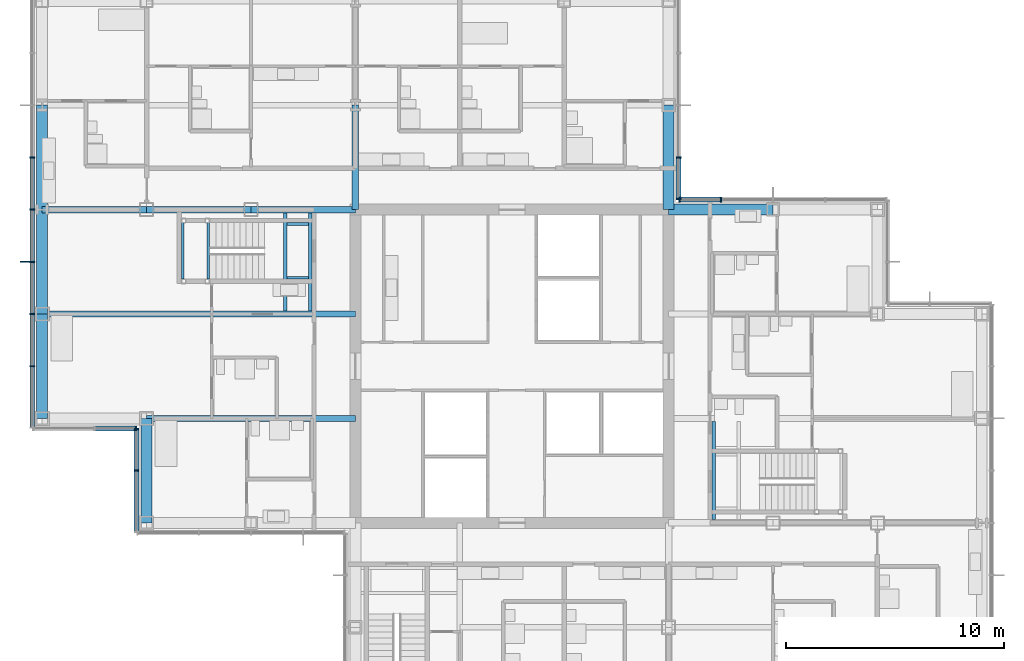
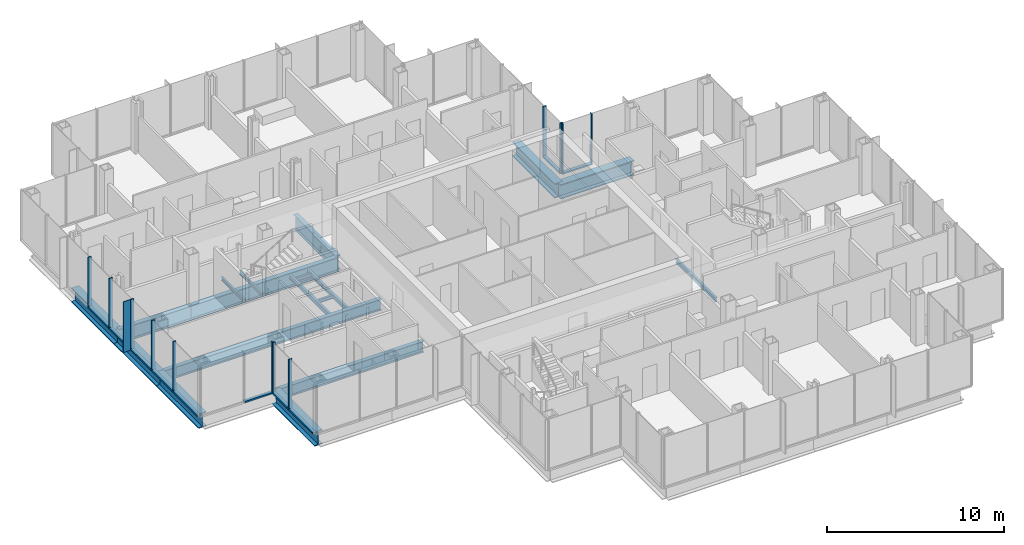
# One storey, part 7 of 20: 23 members, 19 beams, 5 elements without a shape of their own.
"""IFC4 building model written with IfcOpenShell, lengths in metres."""

from ifc_helpers import new_model, si_unit, direction, frame, origin, origin_2d, place, context, subcontext, project, spatial, rectangle, i_section, extrude, material, material_profile, profile_set, type_object, element, aggregate, save


model = new_model("IFC4")

# Units and contexts
model_context = context("Model", 3, precision=1e-05, world=origin(), true_north=direction((0.0, 1.0)))
body_context = subcontext(model_context, "Body", "Model", "MODEL_VIEW")
ifc_project = project(units=[si_unit("LENGTHUNIT", "METRE"), si_unit("AREAUNIT", "SQUARE_METRE"), si_unit("VOLUMEUNIT", "CUBIC_METRE"), si_unit("PLANEANGLEUNIT", "RADIAN"), si_unit("MASSUNIT", "GRAM", prefix="KILO")], contexts=[model_context])

# Site, building, storey
site_placement = place(None, origin())
site = spatial("IfcSite", under=ifc_project, at=site_placement, CompositionType="ELEMENT")
building_placement = place(site_placement, origin())
building = spatial("IfcBuilding", under=site, at=building_placement, Name="Kvirike Care Tower", CompositionType="ELEMENT")
storey_placement = place(building_placement, frame((0.0, 0.0, 94.5)))
storey = spatial("IfcBuildingStorey", under=building, at=storey_placement, Name="L25", CompositionType="ELEMENT", Elevation=94.5)

# Curtain wall, member
ifc_material_1 = material(Name="Anodised aluminium stick system", Category="aluminium")
curtain_wall_type = type_object("IfcCurtainWallType", Name="CW-B STICK CURTAIN WALL", PredefinedType="NOTDEFINED", material=ifc_material_1)
curtain_wall_1_placement = place(storey_placement, origin())
curtain_wall_1 = element("IfcCurtainWall", 1, at=curtain_wall_1_placement, inside=storey, type_object=curtain_wall_type, Name="Curtain wall L25 face 11", PredefinedType="NOTDEFINED")
ifc_material_2 = material(Name="Bronze anodised aluminium fin", Category="aluminium")
ifc_material_profile_1 = material_profile(ifc_material_2, rectangle(XDim=0.050048828125, YDim=0.449951171875, at=origin_2d()), Name="BRONZE FIN 450")
ifc_profile_set_1 = profile_set([ifc_material_profile_1], Name="Bronze anodised aluminium fin")
member_type_1 = type_object("IfcMemberType", Name="BRONZE FIN 450", PredefinedType="USERDEFINED", material=ifc_profile_set_1)
member_1_placement = place(storey_placement, frame((-0.794921875, 40.800048828125, 0.0), z_axis=(0.0, 0.0, 1.0), x_axis=(0.0, -1.0, 0.0)))
member_1 = element("IfcMember", 2, at=member_1_placement, type_object=member_type_1, Name="Bronze fin L25 face 11.6", ObjectType="FIN", PredefinedType="USERDEFINED", context=body_context, shape_type="SweptSolid", body=[
    extrude(rectangle(XDim=0.050048828125, YDim=0.449951171875, at=origin_2d()), origin(), (0.0, 0.0, 1.0), 3.5),
])

# Curtain wall, members
curtain_wall_2_placement = place(storey_placement, origin())
curtain_wall_2 = element("IfcCurtainWall", 3, at=curtain_wall_2_placement, inside=storey, type_object=curtain_wall_type, Name="Curtain wall L25 face 4", PredefinedType="NOTDEFINED")
ifc_material_3 = material(Name="Bronze anodised aluminium mullion", Category="aluminium")
ifc_material_profile_2 = material_profile(ifc_material_3, rectangle(XDim=0.06494140625, YDim=0.219970703125, at=origin_2d()), Name="CW-B MULLION 65x220")
ifc_profile_set_2 = profile_set([ifc_material_profile_2], Name="Bronze anodised aluminium mullion")
member_type_2 = type_object("IfcMemberType", Name="CW-B MULLION 65x220", PredefinedType="MULLION", material=ifc_profile_set_2)
member_2_placement = place(storey_placement, frame((31.199951171875, 43.659912109375, 0.0), z_axis=(0.0, 0.0, 1.0), x_axis=(-1.0, 0.0, 0.0)))
member_2 = element("IfcMember", 4, at=member_2_placement, type_object=member_type_2, Name="CW-B mullion L25 face 4.4", PredefinedType="MULLION", context=body_context, shape_type="SweptSolid", body=[
    extrude(rectangle(XDim=0.06494140625, YDim=0.219970703125, at=origin_2d()), origin(), (0.0, 0.0, 1.0), 3.5),
])
member_3_placement = place(storey_placement, frame((29.29248046875, 43.659912109375, 0.0), z_axis=(0.0, 0.0, 1.0), x_axis=(-1.0, 0.0, 0.0)))
member_3 = element("IfcMember", 5, at=member_3_placement, type_object=member_type_2, Name="CW-B mullion L25 face 4.5", PredefinedType="MULLION", context=body_context, shape_type="SweptSolid", body=[
    extrude(rectangle(XDim=0.06494140625, YDim=0.219970703125, at=origin_2d()), origin(), (0.0, 0.0, 1.0), 3.5),
])

curtain_wall_3_placement = place(storey_placement, origin())
curtain_wall_3 = element("IfcCurtainWall", 6, at=curtain_wall_3_placement, inside=storey, type_object=curtain_wall_type, Name="Curtain wall L25 face 5", PredefinedType="NOTDEFINED")
member_4_placement = place(storey_placement, frame((29.260009765625, 43.6923828125, 0.0), z_axis=(0.0, 0.0, 1.0), x_axis=(0.0, 1.0, 0.0)))
member_4 = element("IfcMember", 7, at=member_4_placement, type_object=member_type_2, Name="CW-B mullion L25 face 5.1", PredefinedType="MULLION", context=body_context, shape_type="SweptSolid", body=[
    extrude(rectangle(XDim=0.06494140625, YDim=0.219970703125, at=origin_2d()), origin(), (0.0, 0.0, 1.0), 3.5),
])
member_5_placement = place(storey_placement, frame((29.260009765625, 45.60009765625, 0.0), z_axis=(0.0, 0.0, 1.0), x_axis=(0.0, 1.0, 0.0)))
member_5 = element("IfcMember", 8, at=member_5_placement, type_object=member_type_2, Name="CW-B mullion L25 face 5.2", PredefinedType="MULLION", context=body_context, shape_type="SweptSolid", body=[
    extrude(rectangle(XDim=0.06494140625, YDim=0.219970703125, at=origin_2d()), origin(), (0.0, 0.0, 1.0), 3.5),
])

# Member
member_6_placement = place(storey_placement, frame((-0.4599609375, 45.60009765625, 0.0), z_axis=(0.0, 0.0, 1.0), x_axis=(0.0, -1.0, 0.0)))
member_6 = element("IfcMember", 9, at=member_6_placement, type_object=member_type_2, Name="CW-B mullion L25 face 11.4", PredefinedType="MULLION", context=body_context, shape_type="SweptSolid", body=[
    extrude(rectangle(XDim=0.06494140625, YDim=0.219970703125, at=origin_2d()), origin(), (0.0, 0.0, 1.0), 3.5),
])

member_7_placement = place(storey_placement, frame((-0.4599609375, 43.199951171875, 0.0), z_axis=(0.0, 0.0, 1.0), x_axis=(0.0, -1.0, 0.0)))
member_7 = element("IfcMember", 10, at=member_7_placement, type_object=member_type_2, Name="CW-B mullion L25 face 11.5", PredefinedType="MULLION", context=body_context, shape_type="SweptSolid", body=[
    extrude(rectangle(XDim=0.06494140625, YDim=0.219970703125, at=origin_2d()), origin(), (0.0, 0.0, 1.0), 3.5),
])

member_8_placement = place(storey_placement, frame((-0.4599609375, 40.800048828125, 0.0), z_axis=(0.0, 0.0, 1.0), x_axis=(0.0, -1.0, 0.0)))
member_8 = element("IfcMember", 11, at=member_8_placement, type_object=member_type_2, Name="CW-B mullion L25 face 11.6", PredefinedType="MULLION", context=body_context, shape_type="SweptSolid", body=[
    extrude(rectangle(XDim=0.06494140625, YDim=0.219970703125, at=origin_2d()), origin(), (0.0, 0.0, 1.0), 3.5),
])

member_9_placement = place(storey_placement, frame((-0.4599609375, 38.39990234375, 0.0), z_axis=(0.0, 0.0, 1.0), x_axis=(0.0, -1.0, 0.0)))
member_9 = element("IfcMember", 12, at=member_9_placement, type_object=member_type_2, Name="CW-B mullion L25 face 11.7", PredefinedType="MULLION", context=body_context, shape_type="SweptSolid", body=[
    extrude(rectangle(XDim=0.06494140625, YDim=0.219970703125, at=origin_2d()), origin(), (0.0, 0.0, 1.0), 3.5),
])

member_10_placement = place(storey_placement, frame((-0.4599609375, 36.0, 0.0), z_axis=(0.0, 0.0, 1.0), x_axis=(0.0, -1.0, 0.0)))
member_10 = element("IfcMember", 13, at=member_10_placement, type_object=member_type_2, Name="CW-B mullion L25 face 11.8", PredefinedType="MULLION", context=body_context, shape_type="SweptSolid", body=[
    extrude(rectangle(XDim=0.06494140625, YDim=0.219970703125, at=origin_2d()), origin(), (0.0, 0.0, 1.0), 3.5),
])

# Curtain wall, member
curtain_wall_4_placement = place(storey_placement, origin())
curtain_wall_4 = element("IfcCurtainWall", 14, at=curtain_wall_4_placement, inside=storey, type_object=curtain_wall_type, Name="Curtain wall L25 face 12", PredefinedType="NOTDEFINED")
member_11_placement = place(storey_placement, frame((4.3076171875, 33.139892578125, 0.0), z_axis=(0.0, 0.0, 1.0), x_axis=(1.0, 0.0, 0.0)))
member_11 = element("IfcMember", 15, at=member_11_placement, type_object=member_type_2, Name="CW-B mullion L25 face 12.3", PredefinedType="MULLION", context=body_context, shape_type="SweptSolid", body=[
    extrude(rectangle(XDim=0.06494140625, YDim=0.219970703125, at=origin_2d()), origin(), (0.0, 0.0, 1.0), 3.5),
])

# Curtain wall, members
curtain_wall_5_placement = place(storey_placement, origin())
curtain_wall_5 = element("IfcCurtainWall", 16, at=curtain_wall_5_placement, inside=storey, type_object=curtain_wall_type, Name="Curtain wall L25 face 13", PredefinedType="NOTDEFINED")
member_12_placement = place(storey_placement, frame((4.340087890625, 33.107421875, 0.0), z_axis=(0.0, 0.0, 1.0), x_axis=(0.0, -1.0, 0.0)))
member_12 = element("IfcMember", 17, at=member_12_placement, type_object=member_type_2, Name="CW-B mullion L25 face 13.1", PredefinedType="MULLION", context=body_context, shape_type="SweptSolid", body=[
    extrude(rectangle(XDim=0.06494140625, YDim=0.219970703125, at=origin_2d()), origin(), (0.0, 0.0, 1.0), 3.5),
])
member_13_placement = place(storey_placement, frame((4.340087890625, 31.199951171875, 0.0), z_axis=(0.0, 0.0, 1.0), x_axis=(0.0, -1.0, 0.0)))
member_13 = element("IfcMember", 18, at=member_13_placement, type_object=member_type_2, Name="CW-B mullion L25 face 13.2", PredefinedType="MULLION", context=body_context, shape_type="SweptSolid", body=[
    extrude(rectangle(XDim=0.06494140625, YDim=0.219970703125, at=origin_2d()), origin(), (0.0, 0.0, 1.0), 3.5),
])

# Member
ifc_material_4 = material(Name="Bronze anodised aluminium transom", Category="aluminium")
ifc_material_profile_3 = material_profile(ifc_material_4, rectangle(XDim=0.219970703125, YDim=0.10009765625, at=origin_2d()), Name="CW-B TRANSOM 220x100")
ifc_profile_set_3 = profile_set([ifc_material_profile_3], Name="Bronze anodised aluminium transom")
member_type_3 = type_object("IfcMemberType", Name="CW-B TRANSOM 220x100", PredefinedType="USERDEFINED", material=ifc_profile_set_3)
member_14_placement = place(storey_placement, frame((31.16748046875, 43.659912109375, 0.050048828125), z_axis=(-1.0, 0.0, 0.0), x_axis=(0.0, -1.0, 0.0)))
member_14 = element("IfcMember", 19, at=member_14_placement, type_object=member_type_3, Name="CW-B sill transom L25 face 4.4", ObjectType="TRANSOM", PredefinedType="USERDEFINED", context=body_context, shape_type="SweptSolid", body=[
    extrude(rectangle(XDim=0.219970703125, YDim=0.10009765625, at=origin_2d()), origin(), (0.0, 0.0, 1.0), 1.842529296875),
])

aggregate(curtain_wall_2, [member_2, member_3, member_14])

member_15_placement = place(storey_placement, frame((29.260009765625, 43.72509765625, 0.050048828125), z_axis=(0.0, 1.0, 0.0), x_axis=(-1.0, 0.0, 0.0)))
member_15 = element("IfcMember", 20, at=member_15_placement, type_object=member_type_3, Name="CW-B sill transom L25 face 5.1", ObjectType="TRANSOM", PredefinedType="USERDEFINED", context=body_context, shape_type="SweptSolid", body=[
    extrude(rectangle(XDim=0.219970703125, YDim=0.10009765625, at=origin_2d()), origin(), (0.0, 0.0, 1.0), 1.84228515625),
])

aggregate(curtain_wall_3, [member_4, member_5, member_15])

member_16_placement = place(storey_placement, frame((-0.4599609375, 45.5673828125, 0.050048828125), z_axis=(0.0, -1.0, 0.0), x_axis=(1.0, 0.0, 0.0)))
member_16 = element("IfcMember", 21, at=member_16_placement, type_object=member_type_3, Name="CW-B sill transom L25 face 11.4", ObjectType="TRANSOM", PredefinedType="USERDEFINED", context=body_context, shape_type="SweptSolid", body=[
    extrude(rectangle(XDim=0.219970703125, YDim=0.10009765625, at=origin_2d()), origin(), (0.0, 0.0, 1.0), 2.3349609375),
])

member_17_placement = place(storey_placement, frame((-0.4599609375, 43.16748046875, 0.050048828125), z_axis=(0.0, -1.0, 0.0), x_axis=(1.0, 0.0, 0.0)))
member_17 = element("IfcMember", 22, at=member_17_placement, type_object=member_type_3, Name="CW-B sill transom L25 face 11.5", ObjectType="TRANSOM", PredefinedType="USERDEFINED", context=body_context, shape_type="SweptSolid", body=[
    extrude(rectangle(XDim=0.219970703125, YDim=0.10009765625, at=origin_2d()), origin(), (0.0, 0.0, 1.0), 2.3349609375),
])

member_18_placement = place(storey_placement, frame((-0.4599609375, 40.767578125, 0.050048828125), z_axis=(0.0, -1.0, 0.0), x_axis=(1.0, 0.0, 0.0)))
member_18 = element("IfcMember", 23, at=member_18_placement, type_object=member_type_3, Name="CW-B sill transom L25 face 11.6", ObjectType="TRANSOM", PredefinedType="USERDEFINED", context=body_context, shape_type="SweptSolid", body=[
    extrude(rectangle(XDim=0.219970703125, YDim=0.10009765625, at=origin_2d()), origin(), (0.0, 0.0, 1.0), 2.3349609375),
])

member_19_placement = place(storey_placement, frame((-0.4599609375, 38.367431640625, 0.050048828125), z_axis=(0.0, -1.0, 0.0), x_axis=(1.0, 0.0, 0.0)))
member_19 = element("IfcMember", 24, at=member_19_placement, type_object=member_type_3, Name="CW-B sill transom L25 face 11.7", ObjectType="TRANSOM", PredefinedType="USERDEFINED", context=body_context, shape_type="SweptSolid", body=[
    extrude(rectangle(XDim=0.219970703125, YDim=0.10009765625, at=origin_2d()), origin(), (0.0, 0.0, 1.0), 2.3349609375),
])

member_20_placement = place(storey_placement, frame((-0.4599609375, 35.967529296875, 0.050048828125), z_axis=(0.0, -1.0, 0.0), x_axis=(1.0, 0.0, 0.0)))
member_20 = element("IfcMember", 25, at=member_20_placement, type_object=member_type_3, Name="CW-B sill transom L25 face 11.8", ObjectType="TRANSOM", PredefinedType="USERDEFINED", context=body_context, shape_type="SweptSolid", body=[
    extrude(rectangle(XDim=0.219970703125, YDim=0.10009765625, at=origin_2d()), origin(), (0.0, 0.0, 1.0), 2.762451171875),
])

aggregate(curtain_wall_1, [member_6, member_7, member_8, member_1, member_9, member_10, member_16, member_17, member_18, member_19, member_20])

member_21_placement = place(storey_placement, frame((2.4326171875, 33.139892578125, 0.050048828125), z_axis=(1.0, 0.0, 0.0), x_axis=(0.0, 1.0, 0.0)))
member_21 = element("IfcMember", 26, at=member_21_placement, type_object=member_type_3, Name="CW-B sill transom L25 face 12.2", ObjectType="TRANSOM", PredefinedType="USERDEFINED", context=body_context, shape_type="SweptSolid", body=[
    extrude(rectangle(XDim=0.219970703125, YDim=0.10009765625, at=origin_2d()), origin(), (0.0, 0.0, 1.0), 1.84228515625),
])

aggregate(curtain_wall_4, [member_11, member_21])

member_22_placement = place(storey_placement, frame((4.340087890625, 33.074951171875, 0.050048828125), z_axis=(0.0, -1.0, 0.0), x_axis=(1.0, 0.0, 0.0)))
member_22 = element("IfcMember", 27, at=member_22_placement, type_object=member_type_3, Name="CW-B sill transom L25 face 13.1", ObjectType="TRANSOM", PredefinedType="USERDEFINED", context=body_context, shape_type="SweptSolid", body=[
    extrude(rectangle(XDim=0.219970703125, YDim=0.10009765625, at=origin_2d()), origin(), (0.0, 0.0, 1.0), 1.842529296875),
])

member_23_placement = place(storey_placement, frame((4.340087890625, 31.16748046875, 0.050048828125), z_axis=(0.0, -1.0, 0.0), x_axis=(1.0, 0.0, 0.0)))
member_23 = element("IfcMember", 28, at=member_23_placement, type_object=member_type_3, Name="CW-B sill transom L25 face 13.2", ObjectType="TRANSOM", PredefinedType="USERDEFINED", context=body_context, shape_type="SweptSolid", body=[
    extrude(rectangle(XDim=0.219970703125, YDim=0.10009765625, at=origin_2d()), origin(), (0.0, 0.0, 1.0), 2.762451171875),
])

aggregate(curtain_wall_5, [member_12, member_13, member_22, member_23])

# Beams
ifc_material_5 = material(Name="Steel S355", Category="steel")
ifc_material_profile_4 = material_profile(ifc_material_5, i_section(OverallWidth=0.26806640625, OverallDepth=0.77001953125, WebThickness=0.015625, FlangeThickness=0.025390625, FilletRadius=0.01708984375, at=origin_2d()), Name="IPE 750x196")
ifc_profile_set_4 = profile_set([ifc_material_profile_4], Name="Steel S355")
beam_type_1 = type_object("IfcBeamType", Name="FLOOR BEAM IPE 750x196", PredefinedType="BEAM", material=ifc_profile_set_4)
beam_1_placement = place(storey_placement, frame((4.800048828125, 33.60009765625, -0.554931640625), z_axis=(1.0, 0.0, 0.0), x_axis=(0.0, 1.0, 0.0)))
element("IfcBeam", 29, at=beam_1_placement, inside=storey, type_object=beam_type_1, Name="Floor Beam H4-H6 L25", PredefinedType="BEAM", context=body_context, shape_type="SweptSolid", body=[
    extrude(i_section(OverallWidth=0.26806640625, OverallDepth=0.77001953125, WebThickness=0.015625, FlangeThickness=0.025390625, FilletRadius=0.01708984375, at=origin_2d()), origin(), (0.0, 0.0, 1.0), 9.599853515625),
])
beam_2_placement = place(storey_placement, frame((0.0, 38.39990234375, -0.554931640625), z_axis=(1.0, 0.0, 0.0), x_axis=(0.0, 1.0, 0.0)))
element("IfcBeam", 30, at=beam_2_placement, inside=storey, type_object=beam_type_1, Name="Floor Beam J3-J6 L25", PredefinedType="BEAM", context=body_context, shape_type="SweptSolid", body=[
    extrude(i_section(OverallWidth=0.26806640625, OverallDepth=0.77001953125, WebThickness=0.015625, FlangeThickness=0.025390625, FilletRadius=0.01708984375, at=origin_2d()), origin(), (0.0, 0.0, 1.0), 14.39990234375),
])
ifc_material_6 = material(Name="Steel S355", Category="steel")
ifc_material_profile_5 = material_profile(ifc_material_6, i_section(OverallWidth=0.300048828125, OverallDepth=1.0, WebThickness=0.01904296875, FlangeThickness=0.035888671875, FilletRadius=0.030029296875, at=origin_2d()), Name="HE 1000 B")
ifc_profile_set_5 = profile_set([ifc_material_profile_5], Name="Steel S355")
beam_type_2 = type_object("IfcBeamType", Name="FRAME BEAM HE 1000 B", PredefinedType="BEAM", material=ifc_profile_set_5)
for number, where, z_axis, x_axis, name in (
    (31, (0.0, 43.199951171875, -0.669921875), (1.0, 0.0, 0.0), (0.0, 1.0, 0.0), "Frame Beam K3-K4 L25"),
    (32, (4.800048828125, 43.199951171875, -0.669921875), (1.0, 0.0, 0.0), (0.0, 1.0, 0.0), "Frame Beam K4-K5 L25"),
):
    element("IfcBeam", number, at=place(storey_placement, frame(where, z_axis=z_axis, x_axis=x_axis)), inside=storey, type_object=beam_type_2, Name=name, PredefinedType="BEAM", context=body_context, shape_type="SweptSolid", body=[
        extrude(i_section(OverallWidth=0.300048828125, OverallDepth=1.0, WebThickness=0.01904296875, FlangeThickness=0.035888671875, FilletRadius=0.030029296875, at=origin_2d()), origin(), (0.0, 0.0, 1.0), 4.800048828125),
    ])
beam_3_placement = place(storey_placement, frame((9.60009765625, 43.199951171875, -0.669921875), z_axis=(1.0, 0.0, 0.0), x_axis=(0.0, 1.0, 0.0)))
element("IfcBeam", 33, at=beam_3_placement, inside=storey, type_object=beam_type_2, Name="Frame Beam K5-K6 L25", PredefinedType="BEAM", context=body_context, shape_type="SweptSolid", body=[
    extrude(i_section(OverallWidth=0.300048828125, OverallDepth=1.0, WebThickness=0.01904296875, FlangeThickness=0.035888671875, FilletRadius=0.030029296875, at=origin_2d()), origin(), (0.0, 0.0, 1.0), 4.7998046875),
])
beam_4_placement = place(storey_placement, frame((14.39990234375, 43.199951171875, -0.669921875), z_axis=(0.0, 1.0, 0.0), x_axis=(-1.0, 0.0, 0.0)))
element("IfcBeam", 34, at=beam_4_placement, inside=storey, type_object=beam_type_2, Name="Frame Beam K6-L6 L25", PredefinedType="BEAM", context=body_context, shape_type="SweptSolid", body=[
    extrude(i_section(OverallWidth=0.300048828125, OverallDepth=1.0, WebThickness=0.01904296875, FlangeThickness=0.035888671875, FilletRadius=0.030029296875, at=origin_2d()), origin(), (0.0, 0.0, 1.0), 4.800048828125),
])
ifc_material_7 = material(Name="Steel S355", Category="steel")
ifc_material_profile_6 = material_profile(ifc_material_7, i_section(OverallWidth=0.5, OverallDepth=1.0, WebThickness=0.030029296875, FlangeThickness=0.06005859375, at=origin_2d()), Name="PG 1000x500x30x60")
ifc_profile_set_6 = profile_set([ifc_material_profile_6], Name="Steel S355")
beam_type_3 = type_object("IfcBeamType", Name="SPANDREL PG 1000x500x30x60", PredefinedType="SPANDREL", material=ifc_profile_set_6)
beam_5_placement = place(storey_placement, frame((28.800048828125, 43.199951171875, -0.669921875), z_axis=(1.0, 0.0, 0.0), x_axis=(0.0, 1.0, 0.0)))
element("IfcBeam", 35, at=beam_5_placement, inside=storey, type_object=beam_type_3, Name="Spandrel K9-K10 L25", PredefinedType="SPANDREL", context=body_context, shape_type="SweptSolid", body=[
    extrude(i_section(OverallWidth=0.5, OverallDepth=1.0, WebThickness=0.030029296875, FlangeThickness=0.06005859375, at=origin_2d()), origin(), (0.0, 0.0, 1.0), 4.800048828125),
])
beam_6_placement = place(storey_placement, frame((0.0, 33.60009765625, -0.669921875), z_axis=(0.0, 1.0, 0.0), x_axis=(-1.0, 0.0, 0.0)))
element("IfcBeam", 36, at=beam_6_placement, inside=storey, type_object=beam_type_3, Name="Spandrel H3-J3 L25", PredefinedType="SPANDREL", context=body_context, shape_type="SweptSolid", body=[
    extrude(i_section(OverallWidth=0.5, OverallDepth=1.0, WebThickness=0.030029296875, FlangeThickness=0.06005859375, at=origin_2d()), origin(), (0.0, 0.0, 1.0), 4.7998046875),
])
for number, where, z_axis, x_axis, name in (
    (37, (0.0, 38.39990234375, -0.669921875), (0.0, 1.0, 0.0), (-1.0, 0.0, 0.0), "Spandrel J3-K3 L25"),
    (38, (0.0, 43.199951171875, -0.669921875), (0.0, 1.0, 0.0), (-1.0, 0.0, 0.0), "Spandrel K3-L3 L25"),
    (39, (4.800048828125, 28.800048828125, -0.669921875), (0.0, 1.0, 0.0), (-1.0, 0.0, 0.0), "Spandrel G4-H4 L25"),
    (40, (28.800048828125, 43.199951171875, -0.669921875), (0.0, 1.0, 0.0), (-1.0, 0.0, 0.0), "Spandrel K9-L9 L25"),
):
    element("IfcBeam", number, at=place(storey_placement, frame(where, z_axis=z_axis, x_axis=x_axis)), inside=storey, type_object=beam_type_3, Name=name, PredefinedType="SPANDREL", context=body_context, shape_type="SweptSolid", body=[
        extrude(i_section(OverallWidth=0.5, OverallDepth=1.0, WebThickness=0.030029296875, FlangeThickness=0.06005859375, at=origin_2d()), origin(), (0.0, 0.0, 1.0), 4.800048828125),
    ])
ifc_material_8 = material(Name="Steel S355", Category="steel")
ifc_material_profile_7 = material_profile(ifc_material_8, i_section(OverallWidth=0.1201171875, OverallDepth=0.239990234375, WebThickness=0.006103515625, FlangeThickness=0.009765625, FilletRadius=0.014892578125, at=origin_2d()), Name="IPE 240")
ifc_profile_set_7 = profile_set([ifc_material_profile_7], Name="Steel S355")
beam_type_4 = type_object("IfcBeamType", Name="STAIR LANDING BEAM IPE 240", PredefinedType="BEAM", material=ifc_profile_set_7)
for number, where, z_axis, x_axis, name in (
    (41, (6.4599609375, 42.60009765625, 1.429931640625), (0.0, -1.0, 0.0), (1.0, 0.0, 0.0), "Stair 1 landing beam back L25"),
    (42, (7.639892578125, 42.60009765625, 1.429931640625), (0.0, -1.0, 0.0), (1.0, 0.0, 0.0), "Stair 1 landing beam front L25"),
):
    element("IfcBeam", number, at=place(storey_placement, frame(where, z_axis=z_axis, x_axis=x_axis)), inside=storey, type_object=beam_type_4, Name=name, PredefinedType="BEAM", context=body_context, shape_type="SweptSolid", body=[
        extrude(i_section(OverallWidth=0.1201171875, OverallDepth=0.239990234375, WebThickness=0.006103515625, FlangeThickness=0.009765625, FilletRadius=0.014892578125, at=origin_2d()), origin(), (0.0, 0.0, 1.0), 2.60009765625),
    ])
for number, where, z_axis, x_axis, name in (
    (43, (11.25, 42.5400390625, -0.320068359375), (1.0, 0.0, 0.0), (0.0, 1.0, 0.0), "Stair 1 landing edge beam 1 L25"),
    (44, (11.25, 40.06005859375, -0.320068359375), (1.0, 0.0, 0.0), (0.0, 1.0, 0.0), "Stair 1 landing edge beam 2 L25"),
):
    element("IfcBeam", number, at=place(storey_placement, frame(where, z_axis=z_axis, x_axis=x_axis)), inside=storey, type_object=beam_type_4, Name=name, PredefinedType="BEAM", context=body_context, shape_type="SweptSolid", body=[
        extrude(i_section(OverallWidth=0.1201171875, OverallDepth=0.239990234375, WebThickness=0.006103515625, FlangeThickness=0.009765625, FilletRadius=0.014892578125, at=origin_2d()), origin(), (0.0, 0.0, 1.0), 1.0),
    ])
ifc_material_9 = material(Name="Steel S355", Category="steel")
ifc_material_profile_8 = material_profile(ifc_material_9, i_section(OverallWidth=0.14990234375, OverallDepth=0.300048828125, WebThickness=0.007080078125, FlangeThickness=0.0107421875, FilletRadius=0.014892578125, at=origin_2d()), Name="IPE 300")
ifc_profile_set_8 = profile_set([ifc_material_profile_8], Name="Steel S355")
beam_type_5 = type_object("IfcBeamType", Name="STAIR TRIMMER IPE 300", PredefinedType="BEAM", material=ifc_profile_set_8)
for number, where, z_axis, x_axis, name in (
    (45, (11.175048828125, 43.050048828125, -0.35009765625), (0.0, -1.0, 0.0), (1.0, 0.0, 0.0), "Stair 1 trimmer 1 L25"),
    (46, (12.324951171875, 43.050048828125, -0.35009765625), (0.0, -1.0, 0.0), (1.0, 0.0, 0.0), "Stair 1 trimmer 2 L25"),
    (47, (30.875, 28.949951171875, -0.35009765625), (0.0, 1.0, 0.0), (-1.0, 0.0, 0.0), "Stair 2 trimmer 2 L25"),
):
    element("IfcBeam", number, at=place(storey_placement, frame(where, z_axis=z_axis, x_axis=x_axis)), inside=storey, type_object=beam_type_5, Name=name, PredefinedType="BEAM", context=body_context, shape_type="SweptSolid", body=[
        extrude(i_section(OverallWidth=0.14990234375, OverallDepth=0.300048828125, WebThickness=0.007080078125, FlangeThickness=0.0107421875, FilletRadius=0.014892578125, at=origin_2d()), origin(), (0.0, 0.0, 1.0), 4.51611328125),
    ])

save(model, "model.ifc")
